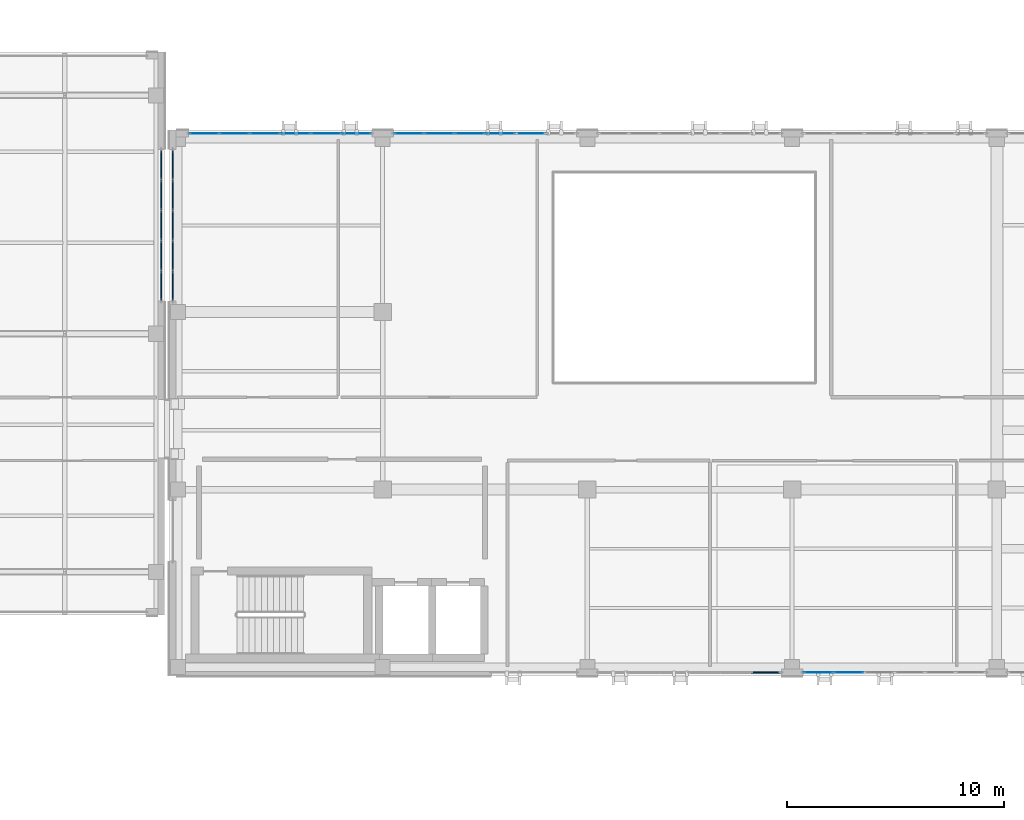
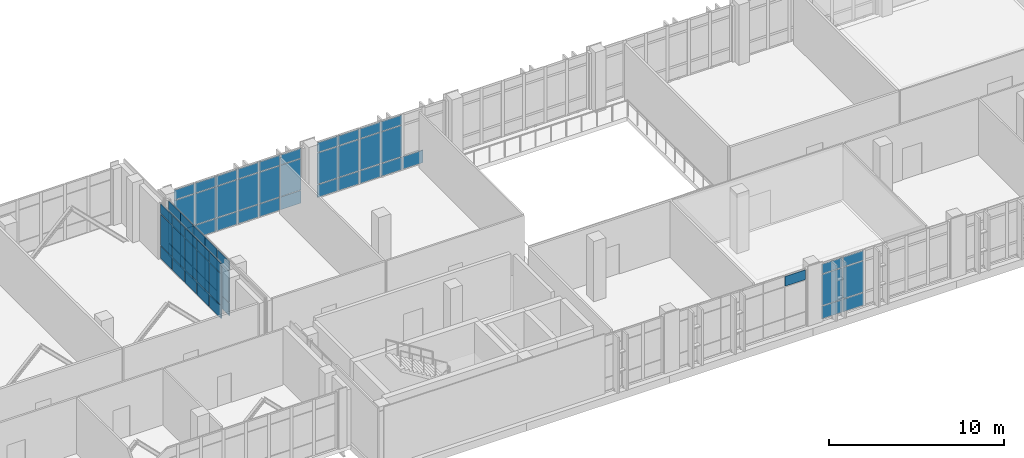
# One storey, part 132 of 193: 68 plates, 6 elements without a shape of their own.
"""IFC4 building model written with IfcOpenShell, lengths in metres."""

from ifc_helpers import new_model, si_unit, direction, frame, origin, origin_2d, place, context, subcontext, project, spatial, rectangle, extrude, material, layer, layer_set, type_object, element, aggregate, save


model = new_model("IFC4")

# Units and contexts
model_context = context("Model", 3, precision=1e-05, world=origin(), true_north=direction((0.0, 1.0)))
body_context = subcontext(model_context, "Body", "Model", "MODEL_VIEW")
ifc_project = project(units=[si_unit("LENGTHUNIT", "METRE"), si_unit("AREAUNIT", "SQUARE_METRE"), si_unit("VOLUMEUNIT", "CUBIC_METRE"), si_unit("PLANEANGLEUNIT", "RADIAN"), si_unit("MASSUNIT", "GRAM", prefix="KILO")], contexts=[model_context])

# Site, building, storey
site_placement = place(None, origin())
site = spatial("IfcSite", under=ifc_project, at=site_placement, CompositionType="ELEMENT")
building_placement = place(site_placement, origin())
building = spatial("IfcBuilding", under=site, at=building_placement, Name="Qalavern Law Courts", CompositionType="ELEMENT")
storey_placement = place(building_placement, frame((0.0, 0.0, 10.199951171875)))
storey = spatial("IfcBuildingStorey", under=building, at=storey_placement, Name="L02", CompositionType="ELEMENT", Elevation=10.199951171875)

# Curtain wall, plates
ifc_material_1 = material(Name="Anodised aluminium and insulated glazing", Category="aluminium")
ifc_layer_1 = layer(ifc_material_1, 0.18505859375)
ifc_layer_set_1 = layer_set([ifc_layer_1], Name="Anodised aluminium and insulated glazing")
curtain_wall_type_1 = type_object("IfcCurtainWallType", Name="ENV-CW-HALL", PredefinedType="USERDEFINED", material=ifc_layer_set_1)
curtain_wall_1_placement = place(storey_placement, origin())
curtain_wall_1 = element("IfcCurtainWall", 1, at=curtain_wall_1_placement, inside=storey, type_object=curtain_wall_type_1, Name="V2 unitised curtain wall L02 south 3", ObjectType="UNITISED CURTAIN WALL", PredefinedType="USERDEFINED")
ifc_material_2 = material(Name="Insulated low-E acoustic glazing", Category="glass")
ifc_layer_2 = layer(ifc_material_2, 0.02392578125)
ifc_layer_set_2 = layer_set([ifc_layer_2], Name="Insulated low-E acoustic glazing")
plate_type_1 = type_object("IfcPlateType", Name="ENV-CWP-24", PredefinedType="CURTAIN_PANEL", material=ifc_layer_set_2)
plate_1_placement = place(storey_placement, frame((64.199462890625, 5.35498046875, 0.048095703125), z_axis=(0.0, 0.0, 1.0), x_axis=(1.0, 0.0, 0.0)))
plate_1 = element("IfcPlate", 2, at=plate_1_placement, type_object=plate_type_1, Name="CW-02 panel 1.1", PredefinedType="CURTAIN_PANEL", context=body_context, shape_type="SweptSolid", body=[
    extrude(rectangle(XDim=1.3369140625, YDim=0.02392578125, at=origin_2d()), origin(), (0.0, 0.0, 1.0), 0.8779296875),
])
plate_2_placement = place(storey_placement, frame((64.199462890625, 5.35498046875, 0.97412109375), z_axis=(0.0, 0.0, 1.0), x_axis=(1.0, 0.0, 0.0)))
plate_2 = element("IfcPlate", 3, at=plate_2_placement, type_object=plate_type_1, Name="CW-02 panel 1.2", PredefinedType="CURTAIN_PANEL", context=body_context, shape_type="SweptSolid", body=[
    extrude(rectangle(XDim=1.3369140625, YDim=0.02392578125, at=origin_2d()), origin(), (0.0, 0.0, 1.0), 2.1669921875),
])
plate_3_placement = place(storey_placement, frame((64.199462890625, 5.35498046875, 3.18896484375), z_axis=(0.0, 0.0, 1.0), x_axis=(1.0, 0.0, 0.0)))
plate_3 = element("IfcPlate", 4, at=plate_3_placement, type_object=plate_type_1, Name="CW-02 panel 1.3", PredefinedType="CURTAIN_PANEL", context=body_context, shape_type="SweptSolid", body=[
    extrude(rectangle(XDim=1.3369140625, YDim=0.02392578125, at=origin_2d()), origin(), (0.0, 0.0, 1.0), 0.677978515625),
])
plate_4_placement = place(storey_placement, frame((65.596435546875, 5.35498046875, 0.048095703125), z_axis=(0.0, 0.0, 1.0), x_axis=(1.0, 0.0, 0.0)))
plate_4 = element("IfcPlate", 5, at=plate_4_placement, type_object=plate_type_1, Name="CW-02 panel 2.1", PredefinedType="CURTAIN_PANEL", context=body_context, shape_type="SweptSolid", body=[
    extrude(rectangle(XDim=1.361083984375, YDim=0.02392578125, at=origin_2d()), origin(), (0.0, 0.0, 1.0), 0.8779296875),
])
plate_5_placement = place(storey_placement, frame((65.596435546875, 5.35498046875, 0.97412109375), z_axis=(0.0, 0.0, 1.0), x_axis=(1.0, 0.0, 0.0)))
plate_5 = element("IfcPlate", 6, at=plate_5_placement, type_object=plate_type_1, Name="CW-02 panel 2.2", PredefinedType="CURTAIN_PANEL", context=body_context, shape_type="SweptSolid", body=[
    extrude(rectangle(XDim=1.361083984375, YDim=0.02392578125, at=origin_2d()), origin(), (0.0, 0.0, 1.0), 2.1669921875),
])
plate_6_placement = place(storey_placement, frame((65.596435546875, 5.35498046875, 3.18896484375), z_axis=(0.0, 0.0, 1.0), x_axis=(1.0, 0.0, 0.0)))
plate_6 = element("IfcPlate", 7, at=plate_6_placement, type_object=plate_type_1, Name="CW-02 panel 2.3", PredefinedType="CURTAIN_PANEL", context=body_context, shape_type="SweptSolid", body=[
    extrude(rectangle(XDim=1.361083984375, YDim=0.02392578125, at=origin_2d()), origin(), (0.0, 0.0, 1.0), 0.677978515625),
])
aggregate(curtain_wall_1, [plate_1, plate_2, plate_3, plate_4, plate_5, plate_6])

curtain_wall_2_placement = place(storey_placement, origin())
curtain_wall_2 = element("IfcCurtainWall", 8, at=curtain_wall_2_placement, inside=storey, type_object=curtain_wall_type_1, Name="V2 unitised curtain wall L02 north 5", ObjectType="UNITISED CURTAIN WALL", PredefinedType="USERDEFINED")
ifc_layer_3 = layer(ifc_material_2, 0.035888671875)
ifc_layer_set_3 = layer_set([ifc_layer_3], Name="Insulated low-E acoustic glazing")
plate_type_2 = type_object("IfcPlateType", Name="ENV-CWP-36", PredefinedType="CURTAIN_PANEL", material=ifc_layer_set_3)
plate_7_placement = place(storey_placement, frame((50.9150390625, 30.2451171875, 0.048095703125), z_axis=(0.0, 0.0, 1.0), x_axis=(-1.0, 0.0, 0.0)))
plate_7 = element("IfcPlate", 9, at=plate_7_placement, type_object=plate_type_2, Name="CW-02 panel 2.1", PredefinedType="CURTAIN_PANEL", context=body_context, shape_type="SweptSolid", body=[
    extrude(rectangle(XDim=1.361083984375, YDim=0.035888671875, at=origin_2d()), origin(), (0.0, 0.0, 1.0), 0.8779296875),
])
plate_8_placement = place(storey_placement, frame((49.505859375, 30.2451171875, 0.048095703125), z_axis=(0.0, 0.0, 1.0), x_axis=(-1.0, 0.0, 0.0)))
plate_8 = element("IfcPlate", 10, at=plate_8_placement, type_object=plate_type_2, Name="CW-02 panel 3.1", PredefinedType="CURTAIN_PANEL", context=body_context, shape_type="SweptSolid", body=[
    extrude(rectangle(XDim=1.361083984375, YDim=0.035888671875, at=origin_2d()), origin(), (0.0, 0.0, 1.0), 0.8779296875),
])
plate_9_placement = place(storey_placement, frame((49.505859375, 30.2451171875, 0.97412109375), z_axis=(0.0, 0.0, 1.0), x_axis=(-1.0, 0.0, 0.0)))
plate_9 = element("IfcPlate", 11, at=plate_9_placement, type_object=plate_type_2, Name="CW-02 panel 3.2", PredefinedType="CURTAIN_PANEL", context=body_context, shape_type="SweptSolid", body=[
    extrude(rectangle(XDim=1.361083984375, YDim=0.035888671875, at=origin_2d()), origin(), (0.0, 0.0, 1.0), 2.1669921875),
])
plate_10_placement = place(storey_placement, frame((49.505859375, 30.2451171875, 3.18896484375), z_axis=(0.0, 0.0, 1.0), x_axis=(-1.0, 0.0, 0.0)))
plate_10 = element("IfcPlate", 12, at=plate_10_placement, type_object=plate_type_2, Name="CW-02 panel 3.3", PredefinedType="CURTAIN_PANEL", context=body_context, shape_type="SweptSolid", body=[
    extrude(rectangle(XDim=1.361083984375, YDim=0.035888671875, at=origin_2d()), origin(), (0.0, 0.0, 1.0), 0.677978515625),
])
plate_11_placement = place(storey_placement, frame((48.096923828125, 30.2451171875, 0.048095703125), z_axis=(0.0, 0.0, 1.0), x_axis=(-1.0, 0.0, 0.0)))
plate_11 = element("IfcPlate", 13, at=plate_11_placement, type_object=plate_type_2, Name="CW-02 panel 4.1", PredefinedType="CURTAIN_PANEL", context=body_context, shape_type="SweptSolid", body=[
    extrude(rectangle(XDim=1.361083984375, YDim=0.035888671875, at=origin_2d()), origin(), (0.0, 0.0, 1.0), 0.8779296875),
])
plate_12_placement = place(storey_placement, frame((48.096923828125, 30.2451171875, 0.97412109375), z_axis=(0.0, 0.0, 1.0), x_axis=(-1.0, 0.0, 0.0)))
plate_12 = element("IfcPlate", 14, at=plate_12_placement, type_object=plate_type_2, Name="CW-02 panel 4.2", PredefinedType="CURTAIN_PANEL", context=body_context, shape_type="SweptSolid", body=[
    extrude(rectangle(XDim=1.361083984375, YDim=0.035888671875, at=origin_2d()), origin(), (0.0, 0.0, 1.0), 2.1669921875),
])
plate_13_placement = place(storey_placement, frame((48.096923828125, 30.2451171875, 3.18896484375), z_axis=(0.0, 0.0, 1.0), x_axis=(-1.0, 0.0, 0.0)))
plate_13 = element("IfcPlate", 15, at=plate_13_placement, type_object=plate_type_2, Name="CW-02 panel 4.3", PredefinedType="CURTAIN_PANEL", context=body_context, shape_type="SweptSolid", body=[
    extrude(rectangle(XDim=1.361083984375, YDim=0.035888671875, at=origin_2d()), origin(), (0.0, 0.0, 1.0), 0.677978515625),
])
plate_14_placement = place(storey_placement, frame((46.68798828125, 30.2451171875, 0.048095703125), z_axis=(0.0, 0.0, 1.0), x_axis=(-1.0, 0.0, 0.0)))
plate_14 = element("IfcPlate", 16, at=plate_14_placement, type_object=plate_type_2, Name="CW-02 panel 5.1", PredefinedType="CURTAIN_PANEL", context=body_context, shape_type="SweptSolid", body=[
    extrude(rectangle(XDim=1.361083984375, YDim=0.035888671875, at=origin_2d()), origin(), (0.0, 0.0, 1.0), 0.8779296875),
])
plate_15_placement = place(storey_placement, frame((46.68798828125, 30.2451171875, 0.97412109375), z_axis=(0.0, 0.0, 1.0), x_axis=(-1.0, 0.0, 0.0)))
plate_15 = element("IfcPlate", 17, at=plate_15_placement, type_object=plate_type_2, Name="CW-02 panel 5.2", PredefinedType="CURTAIN_PANEL", context=body_context, shape_type="SweptSolid", body=[
    extrude(rectangle(XDim=1.361083984375, YDim=0.035888671875, at=origin_2d()), origin(), (0.0, 0.0, 1.0), 2.1669921875),
])
plate_16_placement = place(storey_placement, frame((46.68798828125, 30.2451171875, 3.18896484375), z_axis=(0.0, 0.0, 1.0), x_axis=(-1.0, 0.0, 0.0)))
plate_16 = element("IfcPlate", 18, at=plate_16_placement, type_object=plate_type_2, Name="CW-02 panel 5.3", PredefinedType="CURTAIN_PANEL", context=body_context, shape_type="SweptSolid", body=[
    extrude(rectangle(XDim=1.361083984375, YDim=0.035888671875, at=origin_2d()), origin(), (0.0, 0.0, 1.0), 0.677978515625),
])
plate_17_placement = place(storey_placement, frame((45.290771484375, 30.2451171875, 0.048095703125), z_axis=(0.0, 0.0, 1.0), x_axis=(-1.0, 0.0, 0.0)))
plate_17 = element("IfcPlate", 19, at=plate_17_placement, type_object=plate_type_2, Name="CW-02 panel 6.1", PredefinedType="CURTAIN_PANEL", context=body_context, shape_type="SweptSolid", body=[
    extrude(rectangle(XDim=1.337158203125, YDim=0.035888671875, at=origin_2d()), origin(), (0.0, 0.0, 1.0), 0.8779296875),
])
plate_18_placement = place(storey_placement, frame((45.290771484375, 30.2451171875, 0.97412109375), z_axis=(0.0, 0.0, 1.0), x_axis=(-1.0, 0.0, 0.0)))
plate_18 = element("IfcPlate", 20, at=plate_18_placement, type_object=plate_type_2, Name="CW-02 panel 6.2", PredefinedType="CURTAIN_PANEL", context=body_context, shape_type="SweptSolid", body=[
    extrude(rectangle(XDim=1.337158203125, YDim=0.035888671875, at=origin_2d()), origin(), (0.0, 0.0, 1.0), 2.1669921875),
])
plate_19_placement = place(storey_placement, frame((45.290771484375, 30.2451171875, 3.18896484375), z_axis=(0.0, 0.0, 1.0), x_axis=(-1.0, 0.0, 0.0)))
plate_19 = element("IfcPlate", 21, at=plate_19_placement, type_object=plate_type_2, Name="CW-02 panel 6.3", PredefinedType="CURTAIN_PANEL", context=body_context, shape_type="SweptSolid", body=[
    extrude(rectangle(XDim=1.337158203125, YDim=0.035888671875, at=origin_2d()), origin(), (0.0, 0.0, 1.0), 0.677978515625),
])
aggregate(curtain_wall_2, [plate_7, plate_8, plate_9, plate_10, plate_11, plate_12, plate_13, plate_14, plate_15, plate_16, plate_17, plate_18, plate_19])

curtain_wall_3_placement = place(storey_placement, origin())
curtain_wall_3 = element("IfcCurtainWall", 22, at=curtain_wall_3_placement, inside=storey, type_object=curtain_wall_type_1, Name="V2 unitised curtain wall L02 north 6", ObjectType="UNITISED CURTAIN WALL", PredefinedType="USERDEFINED")
ifc_layer_4 = layer(ifc_material_2, 0.0400390625)
ifc_layer_set_4 = layer_set([ifc_layer_4], Name="Insulated low-E acoustic glazing")
plate_type_3 = type_object("IfcPlateType", Name="ENV-CWP-40", PredefinedType="CURTAIN_PANEL", material=ifc_layer_set_4)
plate_20_placement = place(storey_placement, frame((42.857666015625, 30.2451171875, 0.048095703125), z_axis=(0.0, 0.0, 1.0), x_axis=(-1.0, 0.0, 0.0)))
plate_20 = element("IfcPlate", 23, at=plate_20_placement, type_object=plate_type_3, Name="CW-02 panel 1.1", PredefinedType="CURTAIN_PANEL", context=body_context, shape_type="SweptSolid", body=[
    extrude(rectangle(XDim=1.337158203125, YDim=0.0400390625, at=origin_2d()), origin(), (0.0, 0.0, 1.0), 0.8779296875),
])
plate_21_placement = place(storey_placement, frame((42.857666015625, 30.2451171875, 0.97412109375), z_axis=(0.0, 0.0, 1.0), x_axis=(-1.0, 0.0, 0.0)))
plate_21 = element("IfcPlate", 24, at=plate_21_placement, type_object=plate_type_3, Name="CW-02 panel 1.2", PredefinedType="CURTAIN_PANEL", context=body_context, shape_type="SweptSolid", body=[
    extrude(rectangle(XDim=1.337158203125, YDim=0.0400390625, at=origin_2d()), origin(), (0.0, 0.0, 1.0), 2.1669921875),
])
plate_22_placement = place(storey_placement, frame((42.857666015625, 30.2451171875, 3.18896484375), z_axis=(0.0, 0.0, 1.0), x_axis=(-1.0, 0.0, 0.0)))
plate_22 = element("IfcPlate", 25, at=plate_22_placement, type_object=plate_type_3, Name="CW-02 panel 1.3", PredefinedType="CURTAIN_PANEL", context=body_context, shape_type="SweptSolid", body=[
    extrude(rectangle(XDim=1.337158203125, YDim=0.0400390625, at=origin_2d()), origin(), (0.0, 0.0, 1.0), 0.677978515625),
])
plate_23_placement = place(storey_placement, frame((41.460693359375, 30.2451171875, 0.048095703125), z_axis=(0.0, 0.0, 1.0), x_axis=(-1.0, 0.0, 0.0)))
plate_23 = element("IfcPlate", 26, at=plate_23_placement, type_object=plate_type_3, Name="CW-02 panel 2.1", PredefinedType="CURTAIN_PANEL", context=body_context, shape_type="SweptSolid", body=[
    extrude(rectangle(XDim=1.361083984375, YDim=0.0400390625, at=origin_2d()), origin(), (0.0, 0.0, 1.0), 0.8779296875),
])
plate_24_placement = place(storey_placement, frame((41.460693359375, 30.2451171875, 0.97412109375), z_axis=(0.0, 0.0, 1.0), x_axis=(-1.0, 0.0, 0.0)))
plate_24 = element("IfcPlate", 27, at=plate_24_placement, type_object=plate_type_3, Name="CW-02 panel 2.2", PredefinedType="CURTAIN_PANEL", context=body_context, shape_type="SweptSolid", body=[
    extrude(rectangle(XDim=1.361083984375, YDim=0.0400390625, at=origin_2d()), origin(), (0.0, 0.0, 1.0), 2.1669921875),
])
plate_25_placement = place(storey_placement, frame((41.460693359375, 30.2451171875, 3.18896484375), z_axis=(0.0, 0.0, 1.0), x_axis=(-1.0, 0.0, 0.0)))
plate_25 = element("IfcPlate", 28, at=plate_25_placement, type_object=plate_type_3, Name="CW-02 panel 2.3", PredefinedType="CURTAIN_PANEL", context=body_context, shape_type="SweptSolid", body=[
    extrude(rectangle(XDim=1.361083984375, YDim=0.0400390625, at=origin_2d()), origin(), (0.0, 0.0, 1.0), 0.677978515625),
])
plate_26_placement = place(storey_placement, frame((40.0517578125, 30.2451171875, 0.048095703125), z_axis=(0.0, 0.0, 1.0), x_axis=(-1.0, 0.0, 0.0)))
plate_26 = element("IfcPlate", 29, at=plate_26_placement, type_object=plate_type_3, Name="CW-02 panel 3.1", PredefinedType="CURTAIN_PANEL", context=body_context, shape_type="SweptSolid", body=[
    extrude(rectangle(XDim=1.361083984375, YDim=0.0400390625, at=origin_2d()), origin(), (0.0, 0.0, 1.0), 0.8779296875),
])
plate_27_placement = place(storey_placement, frame((40.0517578125, 30.2451171875, 0.97412109375), z_axis=(0.0, 0.0, 1.0), x_axis=(-1.0, 0.0, 0.0)))
plate_27 = element("IfcPlate", 30, at=plate_27_placement, type_object=plate_type_3, Name="CW-02 panel 3.2", PredefinedType="CURTAIN_PANEL", context=body_context, shape_type="SweptSolid", body=[
    extrude(rectangle(XDim=1.361083984375, YDim=0.0400390625, at=origin_2d()), origin(), (0.0, 0.0, 1.0), 2.1669921875),
])
plate_28_placement = place(storey_placement, frame((40.0517578125, 30.2451171875, 3.18896484375), z_axis=(0.0, 0.0, 1.0), x_axis=(-1.0, 0.0, 0.0)))
plate_28 = element("IfcPlate", 31, at=plate_28_placement, type_object=plate_type_3, Name="CW-02 panel 3.3", PredefinedType="CURTAIN_PANEL", context=body_context, shape_type="SweptSolid", body=[
    extrude(rectangle(XDim=1.361083984375, YDim=0.0400390625, at=origin_2d()), origin(), (0.0, 0.0, 1.0), 0.677978515625),
])
plate_29_placement = place(storey_placement, frame((38.642578125, 30.2451171875, 0.048095703125), z_axis=(0.0, 0.0, 1.0), x_axis=(-1.0, 0.0, 0.0)))
plate_29 = element("IfcPlate", 32, at=plate_29_placement, type_object=plate_type_3, Name="CW-02 panel 4.1", PredefinedType="CURTAIN_PANEL", context=body_context, shape_type="SweptSolid", body=[
    extrude(rectangle(XDim=1.361083984375, YDim=0.0400390625, at=origin_2d()), origin(), (0.0, 0.0, 1.0), 0.8779296875),
])
plate_30_placement = place(storey_placement, frame((38.642578125, 30.2451171875, 0.97412109375), z_axis=(0.0, 0.0, 1.0), x_axis=(-1.0, 0.0, 0.0)))
plate_30 = element("IfcPlate", 33, at=plate_30_placement, type_object=plate_type_3, Name="CW-02 panel 4.2", PredefinedType="CURTAIN_PANEL", context=body_context, shape_type="SweptSolid", body=[
    extrude(rectangle(XDim=1.361083984375, YDim=0.0400390625, at=origin_2d()), origin(), (0.0, 0.0, 1.0), 2.1669921875),
])
plate_31_placement = place(storey_placement, frame((38.642578125, 30.2451171875, 3.18896484375), z_axis=(0.0, 0.0, 1.0), x_axis=(-1.0, 0.0, 0.0)))
plate_31 = element("IfcPlate", 34, at=plate_31_placement, type_object=plate_type_3, Name="CW-02 panel 4.3", PredefinedType="CURTAIN_PANEL", context=body_context, shape_type="SweptSolid", body=[
    extrude(rectangle(XDim=1.361083984375, YDim=0.0400390625, at=origin_2d()), origin(), (0.0, 0.0, 1.0), 0.677978515625),
])
plate_32_placement = place(storey_placement, frame((37.233642578125, 30.2451171875, 0.048095703125), z_axis=(0.0, 0.0, 1.0), x_axis=(-1.0, 0.0, 0.0)))
plate_32 = element("IfcPlate", 35, at=plate_32_placement, type_object=plate_type_3, Name="CW-02 panel 5.1", PredefinedType="CURTAIN_PANEL", context=body_context, shape_type="SweptSolid", body=[
    extrude(rectangle(XDim=1.361083984375, YDim=0.0400390625, at=origin_2d()), origin(), (0.0, 0.0, 1.0), 0.8779296875),
])
plate_33_placement = place(storey_placement, frame((37.233642578125, 30.2451171875, 0.97412109375), z_axis=(0.0, 0.0, 1.0), x_axis=(-1.0, 0.0, 0.0)))
plate_33 = element("IfcPlate", 36, at=plate_33_placement, type_object=plate_type_3, Name="CW-02 panel 5.2", PredefinedType="CURTAIN_PANEL", context=body_context, shape_type="SweptSolid", body=[
    extrude(rectangle(XDim=1.361083984375, YDim=0.0400390625, at=origin_2d()), origin(), (0.0, 0.0, 1.0), 2.1669921875),
])
plate_34_placement = place(storey_placement, frame((37.233642578125, 30.2451171875, 3.18896484375), z_axis=(0.0, 0.0, 1.0), x_axis=(-1.0, 0.0, 0.0)))
plate_34 = element("IfcPlate", 37, at=plate_34_placement, type_object=plate_type_3, Name="CW-02 panel 5.3", PredefinedType="CURTAIN_PANEL", context=body_context, shape_type="SweptSolid", body=[
    extrude(rectangle(XDim=1.361083984375, YDim=0.0400390625, at=origin_2d()), origin(), (0.0, 0.0, 1.0), 0.677978515625),
])
plate_35_placement = place(storey_placement, frame((35.83642578125, 30.2451171875, 0.048095703125), z_axis=(0.0, 0.0, 1.0), x_axis=(-1.0, 0.0, 0.0)))
plate_35 = element("IfcPlate", 38, at=plate_35_placement, type_object=plate_type_3, Name="CW-02 panel 6.1", PredefinedType="CURTAIN_PANEL", context=body_context, shape_type="SweptSolid", body=[
    extrude(rectangle(XDim=1.337158203125, YDim=0.0400390625, at=origin_2d()), origin(), (0.0, 0.0, 1.0), 0.8779296875),
])
plate_36_placement = place(storey_placement, frame((35.83642578125, 30.2451171875, 0.97412109375), z_axis=(0.0, 0.0, 1.0), x_axis=(-1.0, 0.0, 0.0)))
plate_36 = element("IfcPlate", 39, at=plate_36_placement, type_object=plate_type_3, Name="CW-02 panel 6.2", PredefinedType="CURTAIN_PANEL", context=body_context, shape_type="SweptSolid", body=[
    extrude(rectangle(XDim=1.337158203125, YDim=0.0400390625, at=origin_2d()), origin(), (0.0, 0.0, 1.0), 2.1669921875),
])
plate_37_placement = place(storey_placement, frame((35.83642578125, 30.2451171875, 3.18896484375), z_axis=(0.0, 0.0, 1.0), x_axis=(-1.0, 0.0, 0.0)))
plate_37 = element("IfcPlate", 40, at=plate_37_placement, type_object=plate_type_3, Name="CW-02 panel 6.3", PredefinedType="CURTAIN_PANEL", context=body_context, shape_type="SweptSolid", body=[
    extrude(rectangle(XDim=1.337158203125, YDim=0.0400390625, at=origin_2d()), origin(), (0.0, 0.0, 1.0), 0.677978515625),
])
aggregate(curtain_wall_3, [plate_20, plate_21, plate_22, plate_23, plate_24, plate_25, plate_26, plate_27, plate_28, plate_29, plate_30, plate_31, plate_32, plate_33, plate_34, plate_35, plate_36, plate_37])

curtain_wall_4_placement = place(storey_placement, origin())
curtain_wall_4 = element("IfcCurtainWall", 41, at=curtain_wall_4_placement, inside=storey, type_object=curtain_wall_type_1, Name="V2 unitised curtain wall L02 west 1", ObjectType="UNITISED CURTAIN WALL", PredefinedType="USERDEFINED")
ifc_layer_5 = layer(ifc_material_2, 0.048095703125)
ifc_layer_set_5 = layer_set([ifc_layer_5], Name="Insulated low-E acoustic glazing")
plate_type_4 = type_object("IfcPlateType", Name="ENV-CWP-48", PredefinedType="CURTAIN_PANEL", material=ifc_layer_set_5)
plate_38_placement = place(storey_placement, frame((34.375, 28.7880859375, 0.048095703125), z_axis=(0.0, 0.0, 1.0), x_axis=(0.0, -1.0, 0.0)))
plate_38 = element("IfcPlate", 42, at=plate_38_placement, type_object=plate_type_4, Name="CW-02 panel 1.1", PredefinedType="CURTAIN_PANEL", context=body_context, shape_type="SweptSolid", body=[
    extrude(rectangle(XDim=1.327880859375, YDim=0.048095703125, at=origin_2d()), origin(), (0.0, 0.0, 1.0), 0.8779296875),
])
plate_39_placement = place(storey_placement, frame((34.375, 28.7880859375, 0.97412109375), z_axis=(0.0, 0.0, 1.0), x_axis=(0.0, -1.0, 0.0)))
plate_39 = element("IfcPlate", 43, at=plate_39_placement, type_object=plate_type_4, Name="CW-02 panel 1.2", PredefinedType="CURTAIN_PANEL", context=body_context, shape_type="SweptSolid", body=[
    extrude(rectangle(XDim=1.327880859375, YDim=0.048095703125, at=origin_2d()), origin(), (0.0, 0.0, 1.0), 2.1669921875),
])
plate_40_placement = place(storey_placement, frame((34.375, 28.7880859375, 3.18896484375), z_axis=(0.0, 0.0, 1.0), x_axis=(0.0, -1.0, 0.0)))
plate_40 = element("IfcPlate", 44, at=plate_40_placement, type_object=plate_type_4, Name="CW-02 panel 1.3", PredefinedType="CURTAIN_PANEL", context=body_context, shape_type="SweptSolid", body=[
    extrude(rectangle(XDim=1.327880859375, YDim=0.048095703125, at=origin_2d()), origin(), (0.0, 0.0, 1.0), 0.677978515625),
])
plate_41_placement = place(storey_placement, frame((34.375, 27.39990234375, 0.048095703125), z_axis=(0.0, 0.0, 1.0), x_axis=(0.0, -1.0, 0.0)))
plate_41 = element("IfcPlate", 45, at=plate_41_placement, type_object=plate_type_4, Name="CW-02 panel 2.1", PredefinedType="CURTAIN_PANEL", context=body_context, shape_type="SweptSolid", body=[
    extrude(rectangle(XDim=1.35205078125, YDim=0.048095703125, at=origin_2d()), origin(), (0.0, 0.0, 1.0), 0.8779296875),
])
plate_42_placement = place(storey_placement, frame((34.375, 27.39990234375, 0.97412109375), z_axis=(0.0, 0.0, 1.0), x_axis=(0.0, -1.0, 0.0)))
plate_42 = element("IfcPlate", 46, at=plate_42_placement, type_object=plate_type_4, Name="CW-02 panel 2.2", PredefinedType="CURTAIN_PANEL", context=body_context, shape_type="SweptSolid", body=[
    extrude(rectangle(XDim=1.35205078125, YDim=0.048095703125, at=origin_2d()), origin(), (0.0, 0.0, 1.0), 2.1669921875),
])
plate_43_placement = place(storey_placement, frame((34.375, 27.39990234375, 3.18896484375), z_axis=(0.0, 0.0, 1.0), x_axis=(0.0, -1.0, 0.0)))
plate_43 = element("IfcPlate", 47, at=plate_43_placement, type_object=plate_type_4, Name="CW-02 panel 2.3", PredefinedType="CURTAIN_PANEL", context=body_context, shape_type="SweptSolid", body=[
    extrude(rectangle(XDim=1.35205078125, YDim=0.048095703125, at=origin_2d()), origin(), (0.0, 0.0, 1.0), 0.677978515625),
])
plate_44_placement = place(storey_placement, frame((34.375, 26.0, 0.048095703125), z_axis=(0.0, 0.0, 1.0), x_axis=(0.0, -1.0, 0.0)))
plate_44 = element("IfcPlate", 48, at=plate_44_placement, type_object=plate_type_4, Name="CW-02 panel 3.1", PredefinedType="CURTAIN_PANEL", context=body_context, shape_type="SweptSolid", body=[
    extrude(rectangle(XDim=1.35205078125, YDim=0.048095703125, at=origin_2d()), origin(), (0.0, 0.0, 1.0), 0.8779296875),
])
plate_45_placement = place(storey_placement, frame((34.375, 26.0, 0.97412109375), z_axis=(0.0, 0.0, 1.0), x_axis=(0.0, -1.0, 0.0)))
plate_45 = element("IfcPlate", 49, at=plate_45_placement, type_object=plate_type_4, Name="CW-02 panel 3.2", PredefinedType="CURTAIN_PANEL", context=body_context, shape_type="SweptSolid", body=[
    extrude(rectangle(XDim=1.35205078125, YDim=0.048095703125, at=origin_2d()), origin(), (0.0, 0.0, 1.0), 2.1669921875),
])
plate_46_placement = place(storey_placement, frame((34.375, 26.0, 3.18896484375), z_axis=(0.0, 0.0, 1.0), x_axis=(0.0, -1.0, 0.0)))
plate_46 = element("IfcPlate", 50, at=plate_46_placement, type_object=plate_type_4, Name="CW-02 panel 3.3", PredefinedType="CURTAIN_PANEL", context=body_context, shape_type="SweptSolid", body=[
    extrude(rectangle(XDim=1.35205078125, YDim=0.048095703125, at=origin_2d()), origin(), (0.0, 0.0, 1.0), 0.677978515625),
])
plate_47_placement = place(storey_placement, frame((34.375, 24.60009765625, 0.048095703125), z_axis=(0.0, 0.0, 1.0), x_axis=(0.0, -1.0, 0.0)))
plate_47 = element("IfcPlate", 51, at=plate_47_placement, type_object=plate_type_4, Name="CW-02 panel 4.1", PredefinedType="CURTAIN_PANEL", context=body_context, shape_type="SweptSolid", body=[
    extrude(rectangle(XDim=1.35205078125, YDim=0.048095703125, at=origin_2d()), origin(), (0.0, 0.0, 1.0), 0.8779296875),
])
plate_48_placement = place(storey_placement, frame((34.375, 24.60009765625, 0.97412109375), z_axis=(0.0, 0.0, 1.0), x_axis=(0.0, -1.0, 0.0)))
plate_48 = element("IfcPlate", 52, at=plate_48_placement, type_object=plate_type_4, Name="CW-02 panel 4.2", PredefinedType="CURTAIN_PANEL", context=body_context, shape_type="SweptSolid", body=[
    extrude(rectangle(XDim=1.35205078125, YDim=0.048095703125, at=origin_2d()), origin(), (0.0, 0.0, 1.0), 2.1669921875),
])
plate_49_placement = place(storey_placement, frame((34.375, 24.60009765625, 3.18896484375), z_axis=(0.0, 0.0, 1.0), x_axis=(0.0, -1.0, 0.0)))
plate_49 = element("IfcPlate", 53, at=plate_49_placement, type_object=plate_type_4, Name="CW-02 panel 4.3", PredefinedType="CURTAIN_PANEL", context=body_context, shape_type="SweptSolid", body=[
    extrude(rectangle(XDim=1.35205078125, YDim=0.048095703125, at=origin_2d()), origin(), (0.0, 0.0, 1.0), 0.677978515625),
])
plate_50_placement = place(storey_placement, frame((34.375, 23.2119140625, 0.048095703125), z_axis=(0.0, 0.0, 1.0), x_axis=(0.0, -1.0, 0.0)))
plate_50 = element("IfcPlate", 54, at=plate_50_placement, type_object=plate_type_4, Name="CW-02 panel 5.1", PredefinedType="CURTAIN_PANEL", context=body_context, shape_type="SweptSolid", body=[
    extrude(rectangle(XDim=1.327880859375, YDim=0.048095703125, at=origin_2d()), origin(), (0.0, 0.0, 1.0), 0.8779296875),
])
plate_51_placement = place(storey_placement, frame((34.375, 23.2119140625, 0.97412109375), z_axis=(0.0, 0.0, 1.0), x_axis=(0.0, -1.0, 0.0)))
plate_51 = element("IfcPlate", 55, at=plate_51_placement, type_object=plate_type_4, Name="CW-02 panel 5.2", PredefinedType="CURTAIN_PANEL", context=body_context, shape_type="SweptSolid", body=[
    extrude(rectangle(XDim=1.327880859375, YDim=0.048095703125, at=origin_2d()), origin(), (0.0, 0.0, 1.0), 2.1669921875),
])
plate_52_placement = place(storey_placement, frame((34.375, 23.2119140625, 3.18896484375), z_axis=(0.0, 0.0, 1.0), x_axis=(0.0, -1.0, 0.0)))
plate_52 = element("IfcPlate", 56, at=plate_52_placement, type_object=plate_type_4, Name="CW-02 panel 5.3", PredefinedType="CURTAIN_PANEL", context=body_context, shape_type="SweptSolid", body=[
    extrude(rectangle(XDim=1.327880859375, YDim=0.048095703125, at=origin_2d()), origin(), (0.0, 0.0, 1.0), 0.677978515625),
])
aggregate(curtain_wall_4, [plate_38, plate_39, plate_40, plate_41, plate_42, plate_43, plate_44, plate_45, plate_46, plate_47, plate_48, plate_49, plate_50, plate_51, plate_52])

ifc_layer_6 = layer(ifc_material_1, 0.199951171875)
ifc_layer_set_6 = layer_set([ifc_layer_6], Name="Anodised aluminium and insulated glazing")
curtain_wall_type_2 = type_object("IfcCurtainWallType", Name="ENV-CW-FOYER", PredefinedType="USERDEFINED", material=ifc_layer_set_6)
curtain_wall_5_placement = place(storey_placement, origin())
curtain_wall_5 = element("IfcCurtainWall", 57, at=curtain_wall_5_placement, inside=storey, type_object=curtain_wall_type_2, Name="V1 unitised curtain wall L02 east 1", ObjectType="UNITISED CURTAIN WALL", PredefinedType="USERDEFINED")
ifc_layer_7 = layer(ifc_material_2, 0.052001953125)
ifc_layer_set_7 = layer_set([ifc_layer_7], Name="Insulated low-E acoustic glazing")
plate_type_5 = type_object("IfcPlateType", Name="ENV-CWP-52", PredefinedType="CURTAIN_PANEL", material=ifc_layer_set_7)
plate_53_placement = place(storey_placement, frame((33.844970703125, 23.2119140625, 0.048095703125), z_axis=(0.0, 0.0, 1.0), x_axis=(0.0, 1.0, 0.0)))
plate_53 = element("IfcPlate", 58, at=plate_53_placement, type_object=plate_type_5, Name="CW-01 panel 1.1", PredefinedType="CURTAIN_PANEL", context=body_context, shape_type="SweptSolid", body=[
    extrude(rectangle(XDim=1.327880859375, YDim=0.052001953125, at=origin_2d()), origin(), (0.0, 0.0, 1.0), 0.8779296875),
])
plate_54_placement = place(storey_placement, frame((33.844970703125, 23.2119140625, 0.97412109375), z_axis=(0.0, 0.0, 1.0), x_axis=(0.0, 1.0, 0.0)))
plate_54 = element("IfcPlate", 59, at=plate_54_placement, type_object=plate_type_5, Name="CW-01 panel 1.2", PredefinedType="CURTAIN_PANEL", context=body_context, shape_type="SweptSolid", body=[
    extrude(rectangle(XDim=1.327880859375, YDim=0.052001953125, at=origin_2d()), origin(), (0.0, 0.0, 1.0), 2.1669921875),
])
plate_55_placement = place(storey_placement, frame((33.844970703125, 23.2119140625, 3.18896484375), z_axis=(0.0, 0.0, 1.0), x_axis=(0.0, 1.0, 0.0)))
plate_55 = element("IfcPlate", 60, at=plate_55_placement, type_object=plate_type_5, Name="CW-01 panel 1.3", PredefinedType="CURTAIN_PANEL", context=body_context, shape_type="SweptSolid", body=[
    extrude(rectangle(XDim=1.327880859375, YDim=0.052001953125, at=origin_2d()), origin(), (0.0, 0.0, 1.0), 0.677978515625),
])
plate_56_placement = place(storey_placement, frame((33.844970703125, 24.60009765625, 0.048095703125), z_axis=(0.0, 0.0, 1.0), x_axis=(0.0, 1.0, 0.0)))
plate_56 = element("IfcPlate", 61, at=plate_56_placement, type_object=plate_type_5, Name="CW-01 panel 2.1", PredefinedType="CURTAIN_PANEL", context=body_context, shape_type="SweptSolid", body=[
    extrude(rectangle(XDim=1.35205078125, YDim=0.052001953125, at=origin_2d()), origin(), (0.0, 0.0, 1.0), 0.8779296875),
])
plate_57_placement = place(storey_placement, frame((33.844970703125, 24.60009765625, 0.97412109375), z_axis=(0.0, 0.0, 1.0), x_axis=(0.0, 1.0, 0.0)))
plate_57 = element("IfcPlate", 62, at=plate_57_placement, type_object=plate_type_5, Name="CW-01 panel 2.2", PredefinedType="CURTAIN_PANEL", context=body_context, shape_type="SweptSolid", body=[
    extrude(rectangle(XDim=1.35205078125, YDim=0.052001953125, at=origin_2d()), origin(), (0.0, 0.0, 1.0), 2.1669921875),
])
plate_58_placement = place(storey_placement, frame((33.844970703125, 24.60009765625, 3.18896484375), z_axis=(0.0, 0.0, 1.0), x_axis=(0.0, 1.0, 0.0)))
plate_58 = element("IfcPlate", 63, at=plate_58_placement, type_object=plate_type_5, Name="CW-01 panel 2.3", PredefinedType="CURTAIN_PANEL", context=body_context, shape_type="SweptSolid", body=[
    extrude(rectangle(XDim=1.35205078125, YDim=0.052001953125, at=origin_2d()), origin(), (0.0, 0.0, 1.0), 0.677978515625),
])
plate_59_placement = place(storey_placement, frame((33.844970703125, 26.0, 0.048095703125), z_axis=(0.0, 0.0, 1.0), x_axis=(0.0, 1.0, 0.0)))
plate_59 = element("IfcPlate", 64, at=plate_59_placement, type_object=plate_type_5, Name="CW-01 panel 3.1", PredefinedType="CURTAIN_PANEL", context=body_context, shape_type="SweptSolid", body=[
    extrude(rectangle(XDim=1.35205078125, YDim=0.052001953125, at=origin_2d()), origin(), (0.0, 0.0, 1.0), 0.8779296875),
])
plate_60_placement = place(storey_placement, frame((33.844970703125, 26.0, 0.97412109375), z_axis=(0.0, 0.0, 1.0), x_axis=(0.0, 1.0, 0.0)))
plate_60 = element("IfcPlate", 65, at=plate_60_placement, type_object=plate_type_5, Name="CW-01 panel 3.2", PredefinedType="CURTAIN_PANEL", context=body_context, shape_type="SweptSolid", body=[
    extrude(rectangle(XDim=1.35205078125, YDim=0.052001953125, at=origin_2d()), origin(), (0.0, 0.0, 1.0), 2.1669921875),
])
plate_61_placement = place(storey_placement, frame((33.844970703125, 26.0, 3.18896484375), z_axis=(0.0, 0.0, 1.0), x_axis=(0.0, 1.0, 0.0)))
plate_61 = element("IfcPlate", 66, at=plate_61_placement, type_object=plate_type_5, Name="CW-01 panel 3.3", PredefinedType="CURTAIN_PANEL", context=body_context, shape_type="SweptSolid", body=[
    extrude(rectangle(XDim=1.35205078125, YDim=0.052001953125, at=origin_2d()), origin(), (0.0, 0.0, 1.0), 0.677978515625),
])
plate_62_placement = place(storey_placement, frame((33.844970703125, 27.39990234375, 0.048095703125), z_axis=(0.0, 0.0, 1.0), x_axis=(0.0, 1.0, 0.0)))
plate_62 = element("IfcPlate", 67, at=plate_62_placement, type_object=plate_type_5, Name="CW-01 panel 4.1", PredefinedType="CURTAIN_PANEL", context=body_context, shape_type="SweptSolid", body=[
    extrude(rectangle(XDim=1.35205078125, YDim=0.052001953125, at=origin_2d()), origin(), (0.0, 0.0, 1.0), 0.8779296875),
])
plate_63_placement = place(storey_placement, frame((33.844970703125, 27.39990234375, 0.97412109375), z_axis=(0.0, 0.0, 1.0), x_axis=(0.0, 1.0, 0.0)))
plate_63 = element("IfcPlate", 68, at=plate_63_placement, type_object=plate_type_5, Name="CW-01 panel 4.2", PredefinedType="CURTAIN_PANEL", context=body_context, shape_type="SweptSolid", body=[
    extrude(rectangle(XDim=1.35205078125, YDim=0.052001953125, at=origin_2d()), origin(), (0.0, 0.0, 1.0), 2.1669921875),
])
plate_64_placement = place(storey_placement, frame((33.844970703125, 27.39990234375, 3.18896484375), z_axis=(0.0, 0.0, 1.0), x_axis=(0.0, 1.0, 0.0)))
plate_64 = element("IfcPlate", 69, at=plate_64_placement, type_object=plate_type_5, Name="CW-01 panel 4.3", PredefinedType="CURTAIN_PANEL", context=body_context, shape_type="SweptSolid", body=[
    extrude(rectangle(XDim=1.35205078125, YDim=0.052001953125, at=origin_2d()), origin(), (0.0, 0.0, 1.0), 0.677978515625),
])
plate_65_placement = place(storey_placement, frame((33.844970703125, 28.7880859375, 0.048095703125), z_axis=(0.0, 0.0, 1.0), x_axis=(0.0, 1.0, 0.0)))
plate_65 = element("IfcPlate", 70, at=plate_65_placement, type_object=plate_type_5, Name="CW-01 panel 5.1", PredefinedType="CURTAIN_PANEL", context=body_context, shape_type="SweptSolid", body=[
    extrude(rectangle(XDim=1.327880859375, YDim=0.052001953125, at=origin_2d()), origin(), (0.0, 0.0, 1.0), 0.8779296875),
])
plate_66_placement = place(storey_placement, frame((33.844970703125, 28.7880859375, 0.97412109375), z_axis=(0.0, 0.0, 1.0), x_axis=(0.0, 1.0, 0.0)))
plate_66 = element("IfcPlate", 71, at=plate_66_placement, type_object=plate_type_5, Name="CW-01 panel 5.2", PredefinedType="CURTAIN_PANEL", context=body_context, shape_type="SweptSolid", body=[
    extrude(rectangle(XDim=1.327880859375, YDim=0.052001953125, at=origin_2d()), origin(), (0.0, 0.0, 1.0), 2.1669921875),
])
plate_67_placement = place(storey_placement, frame((33.844970703125, 28.7880859375, 3.18896484375), z_axis=(0.0, 0.0, 1.0), x_axis=(0.0, 1.0, 0.0)))
plate_67 = element("IfcPlate", 72, at=plate_67_placement, type_object=plate_type_5, Name="CW-01 panel 5.3", PredefinedType="CURTAIN_PANEL", context=body_context, shape_type="SweptSolid", body=[
    extrude(rectangle(XDim=1.327880859375, YDim=0.052001953125, at=origin_2d()), origin(), (0.0, 0.0, 1.0), 0.677978515625),
])
aggregate(curtain_wall_5, [plate_53, plate_54, plate_55, plate_56, plate_57, plate_58, plate_59, plate_60, plate_61, plate_62, plate_63, plate_64, plate_65, plate_66, plate_67])

# Curtain wall, plate
curtain_wall_6_placement = place(storey_placement, origin())
curtain_wall_6 = element("IfcCurtainWall", 73, at=curtain_wall_6_placement, inside=storey, type_object=curtain_wall_type_1, Name="V2 unitised curtain wall L02 south 2", ObjectType="UNITISED CURTAIN WALL", PredefinedType="USERDEFINED")
plate_68_placement = place(storey_placement, frame((61.766357421875, 5.35498046875, 3.18896484375), z_axis=(0.0, 0.0, 1.0), x_axis=(1.0, 0.0, 0.0)))
plate_68 = element("IfcPlate", 74, at=plate_68_placement, type_object=plate_type_5, Name="CW-02 panel 6.3", PredefinedType="CURTAIN_PANEL", context=body_context, shape_type="SweptSolid", body=[
    extrude(rectangle(XDim=1.337158203125, YDim=0.052001953125, at=origin_2d()), origin(), (0.0, 0.0, 1.0), 0.677978515625),
])
aggregate(curtain_wall_6, [plate_68])

save(model, "model.ifc")
